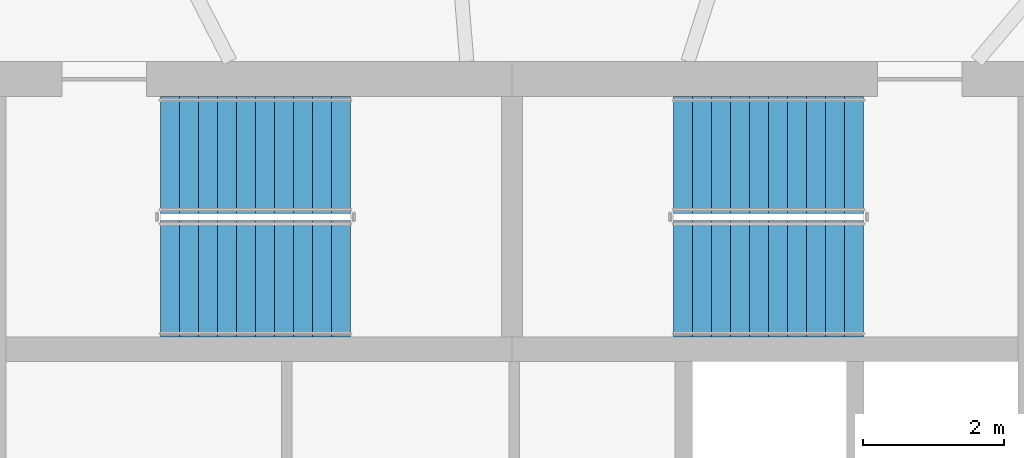
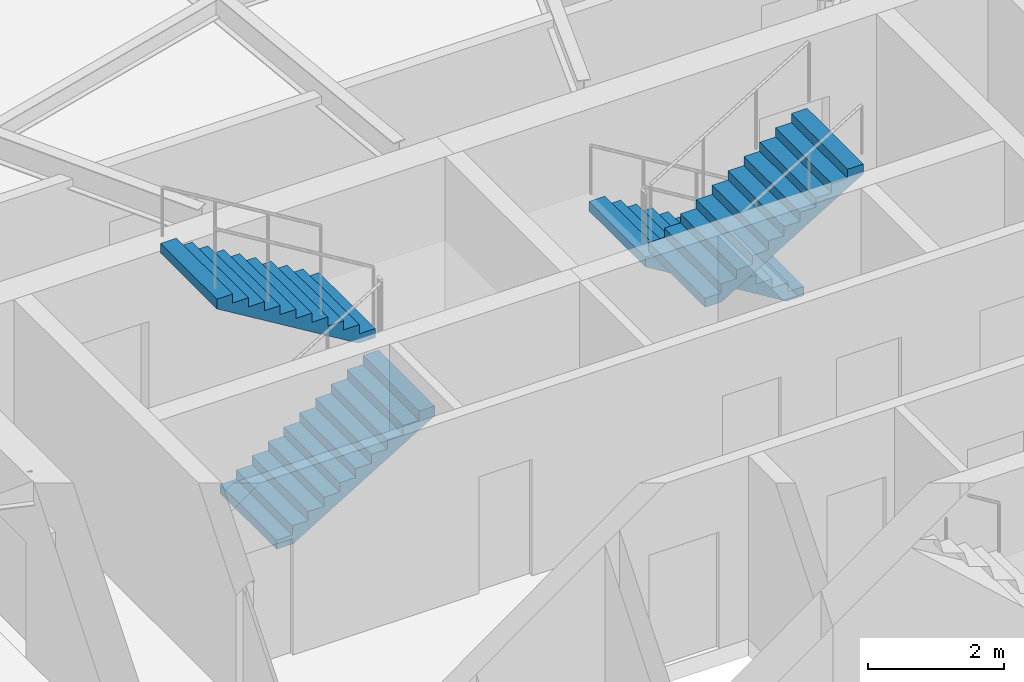
# One storey, part 11 of 14: 4 stair flights, 2 elements without a shape of their own.
"""IFC4 building model written with IfcOpenShell, lengths in metres."""

from ifc_helpers import new_model, si_unit, direction, frame, origin, place, context, subcontext, project, spatial, polyline, outline, extrude, material, type_object, element, aggregate, save


model = new_model("IFC4")

# Units and contexts
model_context = context("Model", 3, precision=1e-05, world=origin(), true_north=direction((0.0, 1.0)))
body_context = subcontext(model_context, "Body", "Model", "MODEL_VIEW")
ifc_project = project(units=[si_unit("LENGTHUNIT", "METRE"), si_unit("AREAUNIT", "SQUARE_METRE"), si_unit("VOLUMEUNIT", "CUBIC_METRE"), si_unit("PLANEANGLEUNIT", "RADIAN"), si_unit("MASSUNIT", "GRAM", prefix="KILO")], contexts=[model_context])

# Site, building, storey
site_placement = place(None, origin())
site = spatial("IfcSite", under=ifc_project, at=site_placement, CompositionType="ELEMENT")
building_placement = place(site_placement, origin())
building = spatial("IfcBuilding", under=site, at=building_placement, Name="Vermilion Reach Broadcast Tower", CompositionType="ELEMENT")
storey_placement = place(building_placement, frame((0.0, 0.0, 257.699951171875)))
storey = spatial("IfcBuildingStorey", under=building, at=storey_placement, Name="L63", CompositionType="ELEMENT", Elevation=257.699951171875)

# Stair, stair flights
ifc_material_1 = material(Name="Concrete C40", Category="concrete")
stair_type = type_object("IfcStairType", Name="Exit stair RC 22 risers 164 mm", PredefinedType="HALF_TURN_STAIR", material=ifc_material_1)
placement = place(storey_placement, origin())
stair_1 = element("IfcStair", 1, at=placement, inside=storey, type_object=stair_type, Name="L63 Exit stair ST1", PredefinedType="HALF_TURN_STAIR")
ifc_material_2 = material(Name="Concrete C40", Category="concrete")
stair_flight_type = type_object("IfcStairFlightType", Name="Exit stair flight RC 11 risers", PredefinedType="STRAIGHT", material=ifc_material_2)
stair_flight_1_placement = place(storey_placement, frame((-11.0, 4.7099609375, 0.0), z_axis=(0.0, 0.0, 1.0), x_axis=(1.0, 0.0, 0.0)))
stair_flight_1 = element("IfcStairFlight", 2, at=stair_flight_1_placement, type_object=stair_flight_type, Name="ST1 flight 1", NumberOfRisers=11, NumberOfTreads=10, PredefinedType="STRAIGHT", RiserHeight=0.163636364, TreadLength=0.27, context=body_context, shape_type="SweptSolid", body=[
    extrude(outline(polyline([(0.0, 0.0), (0.0, 0.16357421875), (0.27001953125, 0.16357421875), (0.27001953125, 0.327392578125), (0.5400390625, 0.327392578125), (0.5400390625, 0.490966796875), (0.81005859375, 0.490966796875), (0.81005859375, 0.654541015625), (1.080078125, 0.654541015625), (1.080078125, 0.818115234375), (1.35009765625, 0.818115234375), (1.35009765625, 0.98193359375), (1.6201171875, 0.98193359375), (1.6201171875, 1.1455078125), (1.889892578125, 1.1455078125), (1.889892578125, 1.30908203125), (2.159912109375, 1.30908203125), (2.159912109375, 1.47265625), (2.429931640625, 1.47265625), (2.429931640625, 1.636474609375), (2.699951171875, 1.636474609375), (2.699951171875, 1.800048828125), (2.699951171875, 1.461181640625), (0.289306640625, 0.0), (0.0, 0.0)])), frame((0.0, 0.830078125, 0.0), z_axis=(0.0, -1.0, 0.0), x_axis=(1.0, 0.0, 0.0)), (0.0, 0.0, 1.0), 1.659912109375),
])
stair_flight_2_placement = place(storey_placement, frame((-8.300048828125, 6.469970703125, 1.800048828125), z_axis=(0.0, 0.0, 1.0), x_axis=(-1.0, 0.0, 0.0)))
stair_flight_2 = element("IfcStairFlight", 3, at=stair_flight_2_placement, type_object=stair_flight_type, Name="ST1 flight 2", NumberOfRisers=11, NumberOfTreads=10, PredefinedType="STRAIGHT", RiserHeight=0.163636364, TreadLength=0.27, context=body_context, shape_type="SweptSolid", body=[
    extrude(outline(polyline([(0.0, 0.0), (0.0, 0.16357421875), (0.27001953125, 0.16357421875), (0.27001953125, 0.327392578125), (0.5400390625, 0.327392578125), (0.5400390625, 0.490966796875), (0.81005859375, 0.490966796875), (0.81005859375, 0.654541015625), (1.080078125, 0.654541015625), (1.080078125, 0.818115234375), (1.35009765625, 0.818115234375), (1.35009765625, 0.98193359375), (1.6201171875, 0.98193359375), (1.6201171875, 1.1455078125), (1.889892578125, 1.1455078125), (1.889892578125, 1.30908203125), (2.159912109375, 1.30908203125), (2.159912109375, 1.47265625), (2.429931640625, 1.47265625), (2.429931640625, 1.636474609375), (2.699951171875, 1.636474609375), (2.699951171875, 1.800048828125), (2.699951171875, 1.461181640625), (0.289306640625, 0.0), (0.0, 0.0)])), frame((0.0, 0.830078125, 0.0), z_axis=(0.0, -1.0, 0.0), x_axis=(1.0, 0.0, 0.0)), (0.0, 0.0, 1.0), 1.659912109375),
])
aggregate(stair_1, [stair_flight_1, stair_flight_2])

stair_2 = element("IfcStair", 4, at=placement, inside=storey, type_object=stair_type, Name="L63 Exit stair ST2", PredefinedType="HALF_TURN_STAIR")
stair_flight_3_placement = place(storey_placement, frame((-1.0, 6.469970703125, 0.0), z_axis=(0.0, 0.0, 1.0), x_axis=(-1.0, 0.0, 0.0)))
stair_flight_3 = element("IfcStairFlight", 5, at=stair_flight_3_placement, type_object=stair_flight_type, Name="ST2 flight 1", NumberOfRisers=11, NumberOfTreads=10, PredefinedType="STRAIGHT", RiserHeight=0.163636364, TreadLength=0.27, context=body_context, shape_type="SweptSolid", body=[
    extrude(outline(polyline([(0.0, 0.0), (0.0, 0.16357421875), (0.27001953125, 0.16357421875), (0.27001953125, 0.327392578125), (0.5400390625, 0.327392578125), (0.5400390625, 0.490966796875), (0.81005859375, 0.490966796875), (0.81005859375, 0.654541015625), (1.080078125, 0.654541015625), (1.080078125, 0.818115234375), (1.35009765625, 0.818115234375), (1.35009765625, 0.98193359375), (1.6201171875, 0.98193359375), (1.6201171875, 1.1455078125), (1.889892578125, 1.1455078125), (1.889892578125, 1.30908203125), (2.159912109375, 1.30908203125), (2.159912109375, 1.47265625), (2.429931640625, 1.47265625), (2.429931640625, 1.636474609375), (2.699951171875, 1.636474609375), (2.699951171875, 1.800048828125), (2.699951171875, 1.461181640625), (0.289306640625, 0.0), (0.0, 0.0)])), frame((0.0, 0.830078125, 0.0), z_axis=(0.0, -1.0, 0.0), x_axis=(1.0, 0.0, 0.0)), (0.0, 0.0, 1.0), 1.659912109375),
])
stair_flight_4_placement = place(storey_placement, frame((-3.699951171875, 4.7099609375, 1.800048828125), z_axis=(0.0, 0.0, 1.0), x_axis=(1.0, 0.0, 0.0)))
stair_flight_4 = element("IfcStairFlight", 6, at=stair_flight_4_placement, type_object=stair_flight_type, Name="ST2 flight 2", NumberOfRisers=11, NumberOfTreads=10, PredefinedType="STRAIGHT", RiserHeight=0.163636364, TreadLength=0.27, context=body_context, shape_type="SweptSolid", body=[
    extrude(outline(polyline([(0.0, 0.0), (0.0, 0.16357421875), (0.27001953125, 0.16357421875), (0.27001953125, 0.327392578125), (0.5400390625, 0.327392578125), (0.5400390625, 0.490966796875), (0.81005859375, 0.490966796875), (0.81005859375, 0.654541015625), (1.080078125, 0.654541015625), (1.080078125, 0.818115234375), (1.35009765625, 0.818115234375), (1.35009765625, 0.98193359375), (1.6201171875, 0.98193359375), (1.6201171875, 1.1455078125), (1.889892578125, 1.1455078125), (1.889892578125, 1.30908203125), (2.159912109375, 1.30908203125), (2.159912109375, 1.47265625), (2.429931640625, 1.47265625), (2.429931640625, 1.636474609375), (2.699951171875, 1.636474609375), (2.699951171875, 1.800048828125), (2.699951171875, 1.461181640625), (0.289306640625, 0.0), (0.0, 0.0)])), frame((0.0, 0.830078125, 0.0), z_axis=(0.0, -1.0, 0.0), x_axis=(1.0, 0.0, 0.0)), (0.0, 0.0, 1.0), 1.659912109375),
])
aggregate(stair_2, [stair_flight_3, stair_flight_4])

save(model, "model.ifc")
